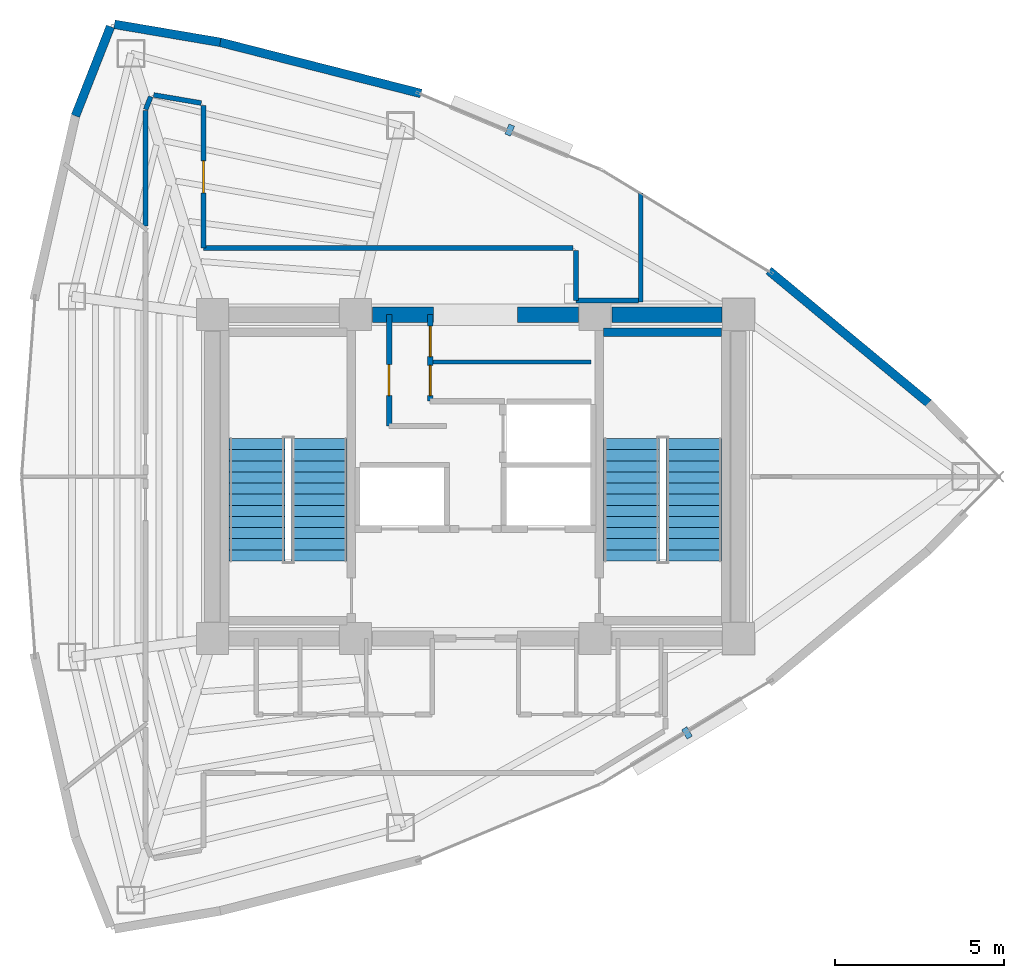
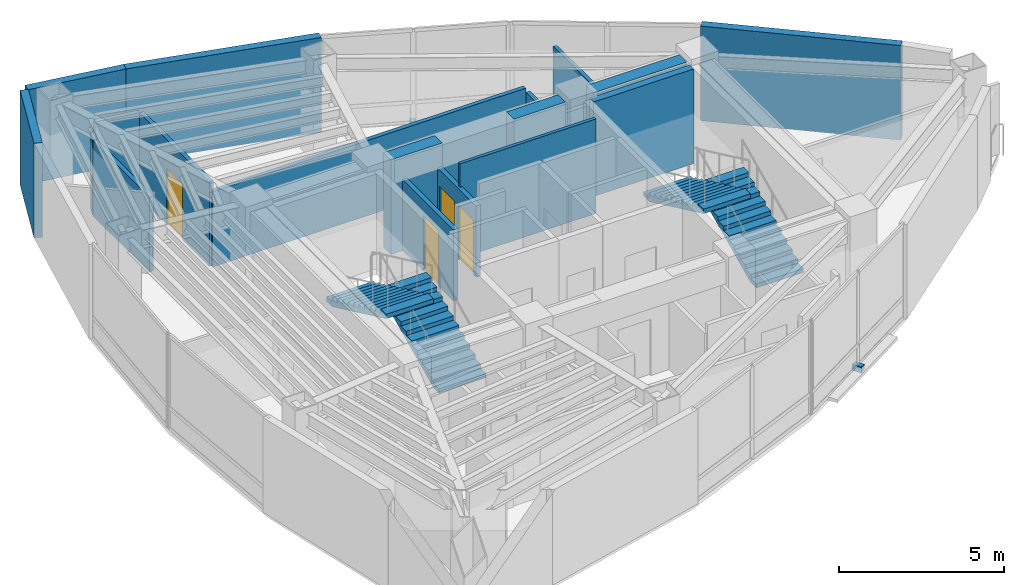
# One storey, part 13 of 15: 19 walls, 4 doors, 4 stair flights, 2 discrete accessories, 4 openings, 2 elements without a shape of their own.
"""IFC4 building model written with IfcOpenShell, lengths in metres."""

from ifc_helpers import new_model, si_unit, direction, frame, frame_2d, origin, origin_2d, place, context, subcontext, project, spatial, polyline, rectangle, outline, extrude, material, layer, layer_set, type_object, element, fill, aggregate, save


model = new_model("IFC4")

# Units and contexts
model_context = context("Model", 3, precision=1e-05, world=origin(), true_north=direction((0.0, 1.0)))
body_context = subcontext(model_context, "Body", "Model", "MODEL_VIEW")
ifc_project = project(units=[si_unit("LENGTHUNIT", "METRE"), si_unit("AREAUNIT", "SQUARE_METRE"), si_unit("VOLUMEUNIT", "CUBIC_METRE"), si_unit("PLANEANGLEUNIT", "RADIAN"), si_unit("MASSUNIT", "GRAM", prefix="KILO")], contexts=[model_context])

# Site, building, storey
site_placement = place(None, origin())
site = spatial("IfcSite", under=ifc_project, at=site_placement, CompositionType="ELEMENT")
building_placement = place(site_placement, origin())
building = spatial("IfcBuilding", under=site, at=building_placement, Name="Menara Vayukalpa", CompositionType="ELEMENT")
storey_placement = place(building_placement, frame((0.0, 0.0, 258.300048828125)))
storey = spatial("IfcBuildingStorey", under=building, at=storey_placement, Name="L65", CompositionType="ELEMENT", Elevation=258.300048828125)

# Walls
ifc_material_1 = material(Name="Concrete C50/60", Category="concrete")
ifc_layer_1 = layer(ifc_material_1, 0.449951171875)
ifc_layer_set_1 = layer_set([ifc_layer_1], Name="Concrete C50/60")
wall_type_1 = type_object("IfcWallType", Name="WAL-CW450", PredefinedType="SHEAR", material=ifc_layer_set_1)
wall_1_placement = place(storey_placement, frame((22.544921875, 26.800048828125, 0.0), z_axis=(0.0, 0.0, 1.0), x_axis=(1.0, 0.0, 0.0)))
element("IfcWall", 1, at=wall_1_placement, inside=storey, type_object=wall_type_1, Name="L65 Buttressed Core Shear Wall CWN2", PredefinedType="SHEAR", context=body_context, shape_type="SweptSolid", body=[
    extrude(rectangle(XDim=1.80517578125, YDim=0.449951171875, at=frame_2d((0.902587890625, 0.0))), origin(), (0.0, 0.0, 1.0), 3.5),
])
wall_2_placement = place(storey_placement, frame((26.85009765625, 26.800048828125, 0.0), z_axis=(0.0, 0.0, 1.0), x_axis=(1.0, 0.0, 0.0)))
element("IfcWall", 2, at=wall_2_placement, inside=storey, type_object=wall_type_1, Name="L65 Buttressed Core Shear Wall CWN3", PredefinedType="SHEAR", context=body_context, shape_type="SweptSolid", body=[
    extrude(rectangle(XDim=1.804931640625, YDim=0.449951171875, at=frame_2d((0.90234375, 0.0))), origin(), (0.0, 0.0, 1.0), 3.5),
])
wall_3_placement = place(storey_placement, frame((29.64501953125, 26.800048828125, 0.0), z_axis=(0.0, 0.0, 1.0), x_axis=(1.0, 0.0, 0.0)))
element("IfcWall", 3, at=wall_3_placement, inside=storey, type_object=wall_type_1, Name="L65 Buttressed Core Shear Wall CWN4", PredefinedType="SHEAR", context=body_context, shape_type="SweptSolid", body=[
    extrude(rectangle(XDim=3.260009765625, YDim=0.449951171875, at=frame_2d((1.6298828125, 0.0))), origin(), (0.0, 0.0, 1.0), 3.5),
])
ifc_material_2 = material(Name="Insulated Precast Concrete C40/50", Category="concrete")
ifc_layer_2 = layer(ifc_material_2, 0.260009765625)
ifc_layer_set_2 = layer_set([ifc_layer_2], Name="Insulated Precast Concrete C40/50")
wall_type_2 = type_object("IfcWallType", Name="WAL-EXT260", PredefinedType="PARTITIONING", material=ifc_layer_set_2)
wall_4_placement = place(storey_placement, frame((34.295166015625, 28.1083984375, 0.0), z_axis=(0.0, 0.0, 1.0), x_axis=(0.769779830138, -0.638309496337, 0.0)))
element("IfcWall", 4, at=wall_4_placement, inside=storey, type_object=wall_type_2, Name="L65 Perimeter Terracotta Pier Wall 03", PredefinedType="PARTITIONING", context=body_context, shape_type="SweptSolid", body=[
    extrude(rectangle(XDim=6.154052734375, YDim=0.260009765625, at=frame_2d((3.0771484375, 0.0))), origin(), (0.0, 0.0, 1.0), 3.5),
])
wall_5_placement = place(storey_placement, frame((18.0244140625, 34.878662109375, 0.0), z_axis=(0.0, 0.0, 1.0), x_axis=(0.968988278672, -0.247106689096, 0.0)))
element("IfcWall", 5, at=wall_5_placement, inside=storey, type_object=wall_type_2, Name="L65 Perimeter Terracotta Pier Wall 06", PredefinedType="PARTITIONING", context=body_context, shape_type="SweptSolid", body=[
    extrude(rectangle(XDim=6.154296875, YDim=0.260009765625, at=frame_2d((3.0771484375, 0.0))), origin(), (0.0, 0.0, 1.0), 3.5),
])
wall_6_placement = place(storey_placement, frame((14.900146484375, 35.40869140625, 0.0), z_axis=(0.0, 0.0, 1.0), x_axis=(0.985889432766, -0.167397808709, 0.0)))
element("IfcWall", 6, at=wall_6_placement, inside=storey, type_object=wall_type_2, Name="L65 Perimeter Terracotta Pier Wall 07", PredefinedType="PARTITIONING", context=body_context, shape_type="SweptSolid", body=[
    extrude(rectangle(XDim=3.180908203125, YDim=0.260009765625, at=frame_2d((1.59033203125, 0.0))), origin(), (0.0, 0.0, 1.0), 3.5),
])
wall_7_placement = place(storey_placement, frame((13.741943359375, 32.693359375, 0.0), z_axis=(0.0, 0.0, 1.0), x_axis=(0.36559927932, 0.930772349697, 0.0)))
element("IfcWall", 7, at=wall_7_placement, inside=storey, type_object=wall_type_2, Name="L65 Perimeter Terracotta Pier Wall 08", PredefinedType="PARTITIONING", context=body_context, shape_type="SweptSolid", body=[
    extrude(rectangle(XDim=2.845458984375, YDim=0.260009765625, at=frame_2d((1.4228515625, 0.0))), origin(), (0.0, 0.0, 1.0), 3.5),
])

# Wall, opening, door
ifc_material_3 = material(Name="Lightweight Concrete Blockwork C16/20", Category="masonry")
ifc_layer_3 = layer(ifc_material_3, 0.159912109375)
ifc_layer_set_3 = layer_set([ifc_layer_3], Name="Lightweight Concrete Blockwork C16/20")
wall_type_3 = type_object("IfcWallType", Name="WAL-FR150", PredefinedType="PARTITIONING", material=ifc_layer_set_3)
wall_8_placement = place(storey_placement, frame((23.0400390625, 23.5, 0.0), z_axis=(0.0, 0.0, 1.0), x_axis=(0.0, 1.0, 0.0)))
wall_8 = element("IfcWall", 8, at=wall_8_placement, inside=storey, type_object=wall_type_3, Name="L65 Interior Partition IW-L65-LV7WB", PredefinedType="PARTITIONING", context=body_context, shape_type="SweptSolid", body=[
    extrude(rectangle(XDim=3.300048828125, YDim=0.159912109375, at=frame_2d((1.64990234375, 0.0))), origin(), (0.0, 0.0, 1.0), 2.6298828125),
])
opening_1_placement = place(wall_8_placement, frame((0.89990234375, 0.0, 0.0)))
opening_1 = element("IfcOpeningElement", 9, at=opening_1_placement, cuts=wall_8, Name="Opening ID6", PredefinedType="OPENING", context=body_context, shape_type="SweptSolid", body=[
    extrude(rectangle(XDim=0.919921875, YDim=2.050048828125, at=frame_2d((0.4599609375, 1.02490234375))), frame((0.0, 0.08984375, 0.0), z_axis=(0.0, -1.0, 0.0), x_axis=(1.0, 0.0, 0.0)), (0.0, 0.0, 1.0), 0.179931640625),
])
ifc_material_4 = material(Name="Acoustic Hardwood Veneer Timber Door", Category="wood")
door_type_1 = type_object("IfcDoorType", Name="DR-INT92", OperationType="NOTDEFINED", PredefinedType="DOOR", material=ifc_material_4)
door_1_placement = place(opening_1_placement, origin())
door_1 = element("IfcDoor", 10, at=door_1_placement, inside=storey, type_object=door_type_1, Name="L65 Interior Door DR-L65-LV7W", OperationType="SINGLE_SWING_RIGHT", OverallHeight=2.050048828125, OverallWidth=0.919921875, PredefinedType="DOOR", context=body_context, shape_type="SweptSolid", body=[
    extrude(rectangle(XDim=0.919921875, YDim=2.050048828125, at=frame_2d((0.4599609375, 1.02490234375))), frame((0.0, 0.02490234375, 0.0), z_axis=(0.0, -1.0, 0.0), x_axis=(1.0, 0.0, 0.0)), (0.0, 0.0, 1.0), 0.050048828125),
])
fill(opening_1, door_1)

# Wall, openings, doors
wall_9_placement = place(storey_placement, frame((24.260009765625, 24.239990234375, 0.0), z_axis=(0.0, 0.0, 1.0), x_axis=(0.0, 1.0, 0.0)))
wall_9 = element("IfcWall", 11, at=wall_9_placement, inside=storey, type_object=wall_type_3, Name="L65 Interior Partition IW-L65-LV7EB", PredefinedType="PARTITIONING", context=body_context, shape_type="SweptSolid", body=[
    extrude(rectangle(XDim=2.56005859375, YDim=0.159912109375, at=frame_2d((1.280029296875, 0.0))), origin(), (0.0, 0.0, 1.0), 2.6298828125),
])
opening_2_placement = place(wall_9_placement, frame((0.159912109375, 0.0, 0.0)))
opening_2 = element("IfcOpeningElement", 12, at=opening_2_placement, cuts=wall_9, Name="Opening ID7", PredefinedType="OPENING", context=body_context, shape_type="SweptSolid", body=[
    extrude(rectangle(XDim=0.89990234375, YDim=2.02001953125, at=frame_2d((0.449951171875, 1.010009765625))), frame((0.0, 0.08984375, 0.0), z_axis=(0.0, -1.0, 0.0), x_axis=(1.0, 0.0, 0.0)), (0.0, 0.0, 1.0), 0.179931640625),
])
opening_3_placement = place(wall_9_placement, frame((1.320068359375, 0.0, 0.0)))
opening_3 = element("IfcOpeningElement", 13, at=opening_3_placement, cuts=wall_9, Name="Opening ID7", PredefinedType="OPENING", context=body_context, shape_type="SweptSolid", body=[
    extrude(rectangle(XDim=0.89990234375, YDim=2.02001953125, at=frame_2d((0.449951171875, 1.010009765625))), frame((0.0, 0.08984375, 0.0), z_axis=(0.0, -1.0, 0.0), x_axis=(1.0, 0.0, 0.0)), (0.0, 0.0, 1.0), 0.179931640625),
])
ifc_material_5 = material(Name="Powder-Coated Steel Riser Access Door", Category="steel")
door_type_2 = type_object("IfcDoorType", Name="DR-RISER", OperationType="NOTDEFINED", PredefinedType="DOOR", material=ifc_material_5)
door_2_placement = place(opening_2_placement, origin())
door_2 = element("IfcDoor", 14, at=door_2_placement, inside=storey, type_object=door_type_2, Name="L65 Interior Door DR-L65-LV7E1", OperationType="SINGLE_SWING_LEFT", OverallHeight=2.02001953125, OverallWidth=0.89990234375, PredefinedType="DOOR", context=body_context, shape_type="SweptSolid", body=[
    extrude(rectangle(XDim=0.89990234375, YDim=2.02001953125, at=frame_2d((0.449951171875, 1.010009765625))), frame((0.0, 0.02490234375, 0.0), z_axis=(0.0, -1.0, 0.0), x_axis=(1.0, 0.0, 0.0)), (0.0, 0.0, 1.0), 0.050048828125),
])
fill(opening_2, door_2)
door_3_placement = place(opening_3_placement, origin())
door_3 = element("IfcDoor", 15, at=door_3_placement, inside=storey, type_object=door_type_2, Name="L65 Interior Door DR-L65-LV7E2", OperationType="SINGLE_SWING_RIGHT", OverallHeight=2.02001953125, OverallWidth=0.89990234375, PredefinedType="DOOR", context=body_context, shape_type="SweptSolid", body=[
    extrude(rectangle(XDim=0.89990234375, YDim=2.02001953125, at=frame_2d((0.449951171875, 1.010009765625))), frame((0.0, 0.02490234375, 0.0), z_axis=(0.0, -1.0, 0.0), x_axis=(1.0, 0.0, 0.0)), (0.0, 0.0, 1.0), 0.050048828125),
])
fill(opening_3, door_3)

# Walls
ifc_material_6 = material(Name="Acoustic Mineral Stud Partition", Category="masonry")
ifc_layer_4 = layer(ifc_material_6, 0.110107421875)
ifc_layer_set_4 = layer_set([ifc_layer_4], Name="Acoustic Mineral Stud Partition")
wall_type_4 = type_object("IfcWallType", Name="WAL-PT110", PredefinedType="PARTITIONING", material=ifc_layer_set_4)
wall_10_placement = place(storey_placement, frame((24.260009765625, 25.39990234375, 0.0), z_axis=(0.0, 0.0, 1.0), x_axis=(1.0, 0.0, 0.0)))
element("IfcWall", 16, at=wall_10_placement, inside=storey, type_object=wall_type_4, Name="L65 Interior Partition IW-L65-LV7EM", PredefinedType="PARTITIONING", context=body_context, shape_type="SweptSolid", body=[
    extrude(rectangle(XDim=4.760009765625, YDim=0.110107421875, at=frame_2d((2.3798828125, 0.0))), origin(), (0.0, 0.0, 1.0), 3.5),
])
ifc_material_7 = material(Name="Gypsum Drywall Steel Stud Assembly", Category="steel")
ifc_layer_5 = layer(ifc_material_7, 0.125)
ifc_layer_set_5 = layer_set([ifc_layer_5], Name="Gypsum Drywall Steel Stud Assembly")
wall_type_5 = type_object("IfcWallType", Name="WAL-PT125", PredefinedType="PARTITIONING", material=ifc_layer_set_5)
wall_11_placement = place(storey_placement, frame((30.5, 27.169921875, 0.0), z_axis=(0.0, 0.0, 1.0), x_axis=(0.0, 1.0, 0.0)))
element("IfcWall", 17, at=wall_11_placement, inside=storey, type_object=wall_type_5, Name="L65 Interior Partition IW-L65-RDIV01", PredefinedType="PARTITIONING", context=body_context, shape_type="SweptSolid", body=[
    extrude(rectangle(XDim=3.237060546875, YDim=0.125, at=frame_2d((1.61865234375, 0.0))), origin(), (0.0, 0.0, 1.0), 2.6298828125),
])
ifc_material_8 = material(Name="Gypsum Drywall Acoustic Stud Assembly", Category="masonry")
ifc_layer_6 = layer(ifc_material_8, 0.14501953125)
ifc_layer_set_6 = layer_set([ifc_layer_6], Name="Gypsum Drywall Acoustic Stud Assembly")
wall_type_6 = type_object("IfcWallType", Name="WAL-PT150", PredefinedType="PARTITIONING", material=ifc_layer_set_6)
wall_12_placement = place(storey_placement, frame((30.429931640625, 27.219970703125, 0.0), z_axis=(0.0, 0.0, 1.0), x_axis=(-1.0, 0.0, 0.0)))
element("IfcWall", 18, at=wall_12_placement, inside=storey, type_object=wall_type_6, Name="L65 Interior Partition IW-L65-CRM05-1", PredefinedType="PARTITIONING", context=body_context, shape_type="SweptSolid", body=[
    extrude(rectangle(XDim=1.849853515625, YDim=0.14501953125, at=frame_2d((0.9248046875, 0.0))), origin(), (0.0, 0.0, 1.0), 2.6298828125),
])
wall_13_placement = place(storey_placement, frame((28.580078125, 27.219970703125, 0.0), z_axis=(0.0, 0.0, 1.0), x_axis=(0.0, 1.0, 0.0)))
element("IfcWall", 19, at=wall_13_placement, inside=storey, type_object=wall_type_6, Name="L65 Interior Partition IW-L65-CRM05-2", PredefinedType="PARTITIONING", context=body_context, shape_type="SweptSolid", body=[
    extrude(rectangle(XDim=1.47998046875, YDim=0.14501953125, at=frame_2d((0.739990234375, 0.0))), origin(), (0.0, 0.0, 1.0), 2.6298828125),
])
wall_14_placement = place(storey_placement, frame((28.5, 28.780029296875, 0.0), z_axis=(0.0, 0.0, 1.0), x_axis=(-1.0, 0.0, 0.0)))
element("IfcWall", 20, at=wall_14_placement, inside=storey, type_object=wall_type_6, Name="L65 Interior Partition IW-L65-CRM05-3", PredefinedType="PARTITIONING", context=body_context, shape_type="SweptSolid", body=[
    extrude(rectangle(XDim=10.9599609375, YDim=0.14501953125, at=frame_2d((5.47998046875, 0.0))), origin(), (0.0, 0.0, 1.0), 2.780029296875),
])

# Wall, opening, door
wall_15_placement = place(storey_placement, frame((17.5400390625, 28.780029296875, 0.0), z_axis=(0.0, 0.0, 1.0), x_axis=(0.0, 1.0, 0.0)))
wall_15 = element("IfcWall", 21, at=wall_15_placement, inside=storey, type_object=wall_type_6, Name="L65 Interior Partition IW-L65-CRM05-4", PredefinedType="PARTITIONING", context=body_context, shape_type="SweptSolid", body=[
    extrude(rectangle(XDim=4.216064453125, YDim=0.14501953125, at=frame_2d((2.10791015625, 0.0))), origin(), (0.0, 0.0, 1.0), 3.1298828125),
])
opening_4_placement = place(wall_15_placement, frame((1.633056640625, 0.0, 0.0)))
opening_4 = element("IfcOpeningElement", 22, at=opening_4_placement, cuts=wall_15, Name="Opening ID5", PredefinedType="OPENING", context=body_context, shape_type="SweptSolid", body=[
    extrude(rectangle(XDim=0.949951171875, YDim=2.06005859375, at=frame_2d((0.47509765625, 1.030029296875))), frame((0.0, 0.08251953125, 0.0), z_axis=(0.0, -1.0, 0.0), x_axis=(1.0, 0.0, 0.0)), (0.0, 0.0, 1.0), 0.1650390625),
])
ifc_material_9 = material(Name="Acoustic Hardwood Veneer Timber Door", Category="wood")
door_type_3 = type_object("IfcDoorType", Name="DR-INT95", OperationType="NOTDEFINED", PredefinedType="DOOR", material=ifc_material_9)
door_4_placement = place(opening_4_placement, origin())
door_4 = element("IfcDoor", 23, at=door_4_placement, inside=storey, type_object=door_type_3, Name="L65 Interior Door DR-L65-RM05", OperationType="SINGLE_SWING_LEFT", OverallHeight=2.06005859375, OverallWidth=0.949951171875, PredefinedType="DOOR", context=body_context, shape_type="SweptSolid", body=[
    extrude(rectangle(XDim=0.949951171875, YDim=2.06005859375, at=frame_2d((0.47509765625, 1.030029296875))), frame((0.0, 0.02490234375, 0.0), z_axis=(0.0, -1.0, 0.0), x_axis=(1.0, 0.0, 0.0)), (0.0, 0.0, 1.0), 0.050048828125),
])
fill(opening_4, door_4)

# Walls
wall_16_placement = place(storey_placement, frame((17.473388671875, 33.074951171875, 0.0), z_axis=(0.0, 0.0, 1.0), x_axis=(-0.985881780308, 0.167442871621, 0.0)))
element("IfcWall", 24, at=wall_16_placement, inside=storey, type_object=wall_type_6, Name="L65 Interior Partition IW-L65-CRM05-5", PredefinedType="PARTITIONING", context=body_context, shape_type="SweptSolid", body=[
    extrude(rectangle(XDim=1.430419921875, YDim=0.14501953125, at=frame_2d((0.71533203125, 0.0))), origin(), (0.0, 0.0, 1.0), 3.1298828125),
])
wall_17_placement = place(storey_placement, frame((15.975341796875, 33.2646484375, 0.0), z_axis=(0.0, 0.0, 1.0), x_axis=(-0.365633948196, -0.930758731319, 0.0)))
element("IfcWall", 25, at=wall_17_placement, inside=storey, type_object=wall_type_6, Name="L65 Interior Partition IW-L65-CRM05-6", PredefinedType="PARTITIONING", context=body_context, shape_type="SweptSolid", body=[
    extrude(rectangle(XDim=0.409912109375, YDim=0.14501953125, at=frame_2d((0.205078125, 0.0))), origin(), (0.0, 0.0, 1.0), 2.780029296875),
])
wall_18_placement = place(storey_placement, frame((15.820068359375, 32.853759765625, 0.0), z_axis=(0.0, 0.0, 1.0), x_axis=(0.0, -1.0, 0.0)))
element("IfcWall", 26, at=wall_18_placement, inside=storey, type_object=wall_type_6, Name="L65 Interior Partition IW-L65-CRM05-7", PredefinedType="PARTITIONING", context=body_context, shape_type="SweptSolid", body=[
    extrude(rectangle(XDim=3.420166015625, YDim=0.14501953125, at=frame_2d((1.7099609375, 0.0))), origin(), (0.0, 0.0, 1.0), 2.780029296875),
])
ifc_material_10 = material(Name="Concrete C50/60", Category="concrete")
ifc_layer_7 = layer(ifc_material_10, 0.25)
ifc_layer_set_7 = layer_set([ifc_layer_7], Name="Concrete C50/60")
wall_type_7 = type_object("IfcWallType", Name="WAL-SW250", PredefinedType="SHEAR", material=ifc_layer_set_7)
wall_19_placement = place(storey_placement, frame((29.39990234375, 26.27490234375, 0.0), z_axis=(0.0, 0.0, 1.0), x_axis=(1.0, 0.0, 0.0)))
element("IfcWall", 27, at=wall_19_placement, inside=storey, type_object=wall_type_7, Name="L65 ST2 Structural Stair Shaft Wall N", PredefinedType="SHEAR", context=body_context, shape_type="SweptSolid", body=[
    extrude(rectangle(XDim=3.5, YDim=0.25, at=frame_2d((1.75, 0.0))), origin(), (0.0, 0.0, 1.0), 3.5),
])

# Stair, stair flights
ifc_material_11 = material(Name="Precast Concrete C40/50", Category="concrete")
stair_type = type_object("IfcStairType", Name="STR-T04", PredefinedType="DOUBLE_RETURN_STAIR", material=ifc_material_11)
stair_1_placement = place(storey_placement, origin())
stair_1 = element("IfcStair", 28, at=stair_1_placement, inside=storey, type_object=stair_type, Name="L65 Core Exit Stair ST-1", PredefinedType="DOUBLE_RETURN_STAIR")
ifc_material_12 = material(Name="Precast Concrete C40/50", Category="concrete")
stair_flight_type = type_object("IfcStairFlightType", Name="STF-T04", PredefinedType="STRAIGHT", material=ifc_material_12)
stair_flight_1_placement = place(storey_placement, frame((20.97509765625, 19.5, 0.0), z_axis=(0.0, 0.0, 1.0), x_axis=(0.0, 1.0, 0.0)))
stair_flight_1 = element("IfcStairFlight", 29, at=stair_flight_1_placement, type_object=stair_flight_type, Name="ST-1 flight 1", NumberOfRisers=12, NumberOfTreads=11, PredefinedType="STRAIGHT", RiserHeight=0.155, TreadLength=0.33, context=body_context, shape_type="SweptSolid", body=[
    extrude(outline(polyline([(0.0, 0.0), (0.0, 0.155029296875), (0.330078125, 0.155029296875), (0.330078125, 0.31005859375), (0.659912109375, 0.31005859375), (0.659912109375, 0.465087890625), (0.989990234375, 0.465087890625), (0.989990234375, 0.6201171875), (1.320068359375, 0.6201171875), (1.320068359375, 0.77490234375), (1.64990234375, 0.77490234375), (1.64990234375, 0.929931640625), (1.97998046875, 0.929931640625), (1.97998046875, 1.0849609375), (2.31005859375, 1.0849609375), (2.31005859375, 1.239990234375), (2.639892578125, 1.239990234375), (2.639892578125, 1.39501953125), (2.969970703125, 1.39501953125), (2.969970703125, 1.550048828125), (3.300048828125, 1.550048828125), (3.300048828125, 1.705078125), (3.6298828125, 1.705078125), (3.6298828125, 1.860107421875), (3.6298828125, 1.539306640625), (0.3525390625, 0.0), (0.0, 0.0)])), frame((0.0, 0.824951171875, 0.0), z_axis=(0.0, -1.0, 0.0), x_axis=(1.0, 0.0, 0.0)), (0.0, 0.0, 1.0), 1.64990234375),
])
stair_flight_2_placement = place(storey_placement, frame((19.125, 23.1298828125, 1.85986328125), z_axis=(0.0, 0.0, 1.0), x_axis=(0.0, -1.0, 0.0)))
stair_flight_2 = element("IfcStairFlight", 30, at=stair_flight_2_placement, type_object=stair_flight_type, Name="ST-1 flight 2", NumberOfRisers=12, NumberOfTreads=11, PredefinedType="STRAIGHT", RiserHeight=0.155, TreadLength=0.33, context=body_context, shape_type="SweptSolid", body=[
    extrude(outline(polyline([(0.0, 0.0), (0.0, 0.155029296875), (0.330078125, 0.155029296875), (0.330078125, 0.31005859375), (0.659912109375, 0.31005859375), (0.659912109375, 0.465087890625), (0.989990234375, 0.465087890625), (0.989990234375, 0.6201171875), (1.320068359375, 0.6201171875), (1.320068359375, 0.77490234375), (1.64990234375, 0.77490234375), (1.64990234375, 0.929931640625), (1.97998046875, 0.929931640625), (1.97998046875, 1.0849609375), (2.31005859375, 1.0849609375), (2.31005859375, 1.239990234375), (2.639892578125, 1.239990234375), (2.639892578125, 1.39501953125), (2.969970703125, 1.39501953125), (2.969970703125, 1.550048828125), (3.300048828125, 1.550048828125), (3.300048828125, 1.705078125), (3.6298828125, 1.705078125), (3.6298828125, 1.860107421875), (3.6298828125, 1.539306640625), (0.3525390625, 0.0), (0.0, 0.0)])), frame((0.0, 0.824951171875, 0.0), z_axis=(0.0, -1.0, 0.0), x_axis=(1.0, 0.0, 0.0)), (0.0, 0.0, 1.0), 1.64990234375),
])
aggregate(stair_1, [stair_flight_1, stair_flight_2])

stair_2_placement = place(storey_placement, origin())
stair_2 = element("IfcStair", 31, at=stair_2_placement, inside=storey, type_object=stair_type, Name="L65 Core Exit Stair ST-2", PredefinedType="DOUBLE_RETURN_STAIR")
stair_flight_3_placement = place(storey_placement, frame((32.074951171875, 19.5, 0.0), z_axis=(0.0, 0.0, 1.0), x_axis=(0.0, 1.0, 0.0)))
stair_flight_3 = element("IfcStairFlight", 32, at=stair_flight_3_placement, type_object=stair_flight_type, Name="ST-2 flight 1", NumberOfRisers=12, NumberOfTreads=11, PredefinedType="STRAIGHT", RiserHeight=0.155, TreadLength=0.33, context=body_context, shape_type="SweptSolid", body=[
    extrude(outline(polyline([(0.0, 0.0), (0.0, 0.155029296875), (0.330078125, 0.155029296875), (0.330078125, 0.31005859375), (0.659912109375, 0.31005859375), (0.659912109375, 0.465087890625), (0.989990234375, 0.465087890625), (0.989990234375, 0.6201171875), (1.320068359375, 0.6201171875), (1.320068359375, 0.77490234375), (1.64990234375, 0.77490234375), (1.64990234375, 0.929931640625), (1.97998046875, 0.929931640625), (1.97998046875, 1.0849609375), (2.31005859375, 1.0849609375), (2.31005859375, 1.239990234375), (2.639892578125, 1.239990234375), (2.639892578125, 1.39501953125), (2.969970703125, 1.39501953125), (2.969970703125, 1.550048828125), (3.300048828125, 1.550048828125), (3.300048828125, 1.705078125), (3.6298828125, 1.705078125), (3.6298828125, 1.860107421875), (3.6298828125, 1.539306640625), (0.3525390625, 0.0), (0.0, 0.0)])), frame((0.0, 0.824951171875, 0.0), z_axis=(0.0, -1.0, 0.0), x_axis=(1.0, 0.0, 0.0)), (0.0, 0.0, 1.0), 1.64990234375),
])
stair_flight_4_placement = place(storey_placement, frame((30.22509765625, 23.1298828125, 1.85986328125), z_axis=(0.0, 0.0, 1.0), x_axis=(0.0, -1.0, 0.0)))
stair_flight_4 = element("IfcStairFlight", 33, at=stair_flight_4_placement, type_object=stair_flight_type, Name="ST-2 flight 2", NumberOfRisers=12, NumberOfTreads=11, PredefinedType="STRAIGHT", RiserHeight=0.155, TreadLength=0.33, context=body_context, shape_type="SweptSolid", body=[
    extrude(outline(polyline([(0.0, 0.0), (0.0, 0.155029296875), (0.330078125, 0.155029296875), (0.330078125, 0.31005859375), (0.659912109375, 0.31005859375), (0.659912109375, 0.465087890625), (0.989990234375, 0.465087890625), (0.989990234375, 0.6201171875), (1.320068359375, 0.6201171875), (1.320068359375, 0.77490234375), (1.64990234375, 0.77490234375), (1.64990234375, 0.929931640625), (1.97998046875, 0.929931640625), (1.97998046875, 1.0849609375), (2.31005859375, 1.0849609375), (2.31005859375, 1.239990234375), (2.639892578125, 1.239990234375), (2.639892578125, 1.39501953125), (2.969970703125, 1.39501953125), (2.969970703125, 1.550048828125), (3.300048828125, 1.550048828125), (3.300048828125, 1.705078125), (3.6298828125, 1.705078125), (3.6298828125, 1.860107421875), (3.6298828125, 1.539306640625), (0.3525390625, 0.0), (0.0, 0.0)])), frame((0.0, 0.824951171875, 0.0), z_axis=(0.0, -1.0, 0.0), x_axis=(1.0, 0.0, 0.0)), (0.0, 0.0, 1.0), 1.64990234375),
])
aggregate(stair_2, [stair_flight_3, stair_flight_4])

# Discrete accessories
ifc_material_13 = material(Name="Stainless Steel 316 Sunshade Bracket", Category="steel")
discrete_accessory_type = type_object("IfcDiscreteAccessoryType", Name="ACC-BRK1", PredefinedType="BRACKET", material=ifc_material_13)
for number, where, z_axis, x_axis, name in (
    (34, (26.61767578125, 32.272705078125, -0.16015625), (0.0, 0.0, 1.0), (-0.922538089456, 0.385906042324, 0.0), "L65 Terracotta Sunshade Bracket 05"),
    (35, (31.87109375, 14.402587890625, -0.16015625), (0.0, 0.0, 1.0), (0.85466730962, 0.519176068272, 0.0), "L65 Terracotta Sunshade Bracket 17"),
):
    element("IfcDiscreteAccessory", number, at=place(storey_placement, frame(where, z_axis=z_axis, x_axis=x_axis)), inside=storey, type_object=discrete_accessory_type, Name=name, PredefinedType="BRACKET", context=body_context, shape_type="SweptSolid", body=[
        extrude(rectangle(XDim=0.179931640625, YDim=0.320068359375, at=origin_2d()), origin(), (0.0, 0.0, 1.0), 0.219970703125),
    ])

save(model, "model.ifc")
